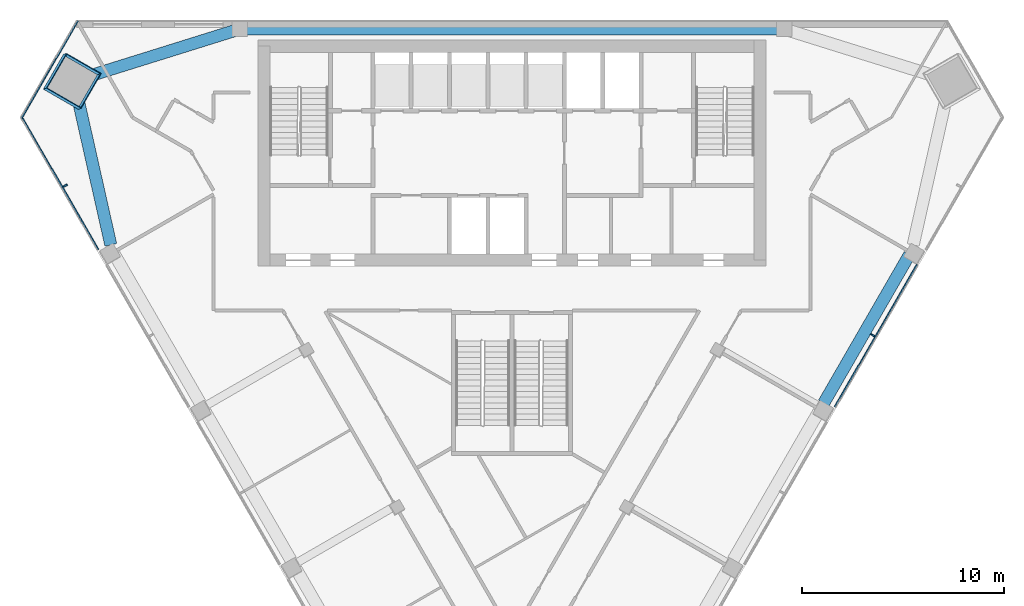
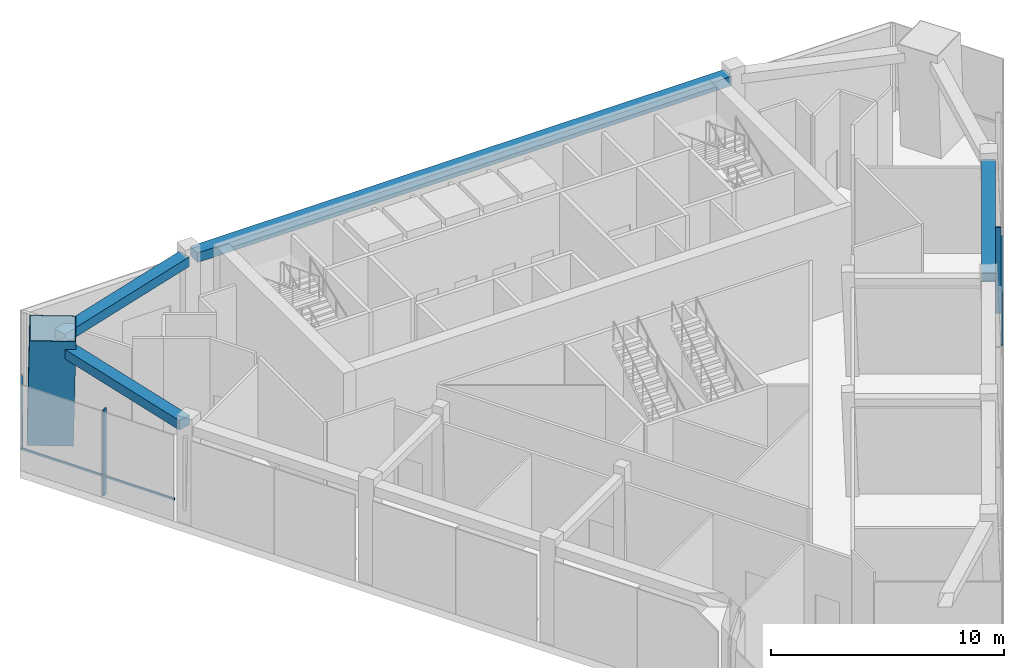
# One storey, part 3 of 10: 6 members, 4 beams, 3 elements without a shape of their own.
"""IFC4 building model written with IfcOpenShell, lengths in metres."""

from ifc_helpers import new_model, si_unit, direction, frame, origin, origin_2d, place, context, subcontext, project, spatial, rectangle, hollow_rectangle, extrude, material, layer, layer_set, material_profile, profile_set, type_object, element, aggregate, save


model = new_model("IFC4")

# Units and contexts
model_context = context("Model", 3, precision=1e-05, world=origin(), true_north=direction((0.0, 1.0)))
body_context = subcontext(model_context, "Body", "Model", "MODEL_VIEW")
ifc_project = project(units=[si_unit("LENGTHUNIT", "METRE"), si_unit("AREAUNIT", "SQUARE_METRE"), si_unit("VOLUMEUNIT", "CUBIC_METRE"), si_unit("PLANEANGLEUNIT", "RADIAN"), si_unit("MASSUNIT", "GRAM", prefix="KILO")], contexts=[model_context])

# Site, building, storey
site_placement = place(None, origin())
site = spatial("IfcSite", under=ifc_project, at=site_placement, CompositionType="ELEMENT")
building_placement = place(site_placement, origin())
building = spatial("IfcBuilding", under=site, at=building_placement, Name="Altiplano Prism Tower", CompositionType="ELEMENT")
storey_placement = place(building_placement, frame((0.0, 0.0, 233.800048828125)))
storey = spatial("IfcBuildingStorey", under=building, at=storey_placement, Name="L60", CompositionType="ELEMENT", Elevation=233.800048828125)

# Curtain wall, member
ifc_material_1 = material(Name="Aluminium and glass", Category="aluminium")
ifc_layer = layer(ifc_material_1, 0.360107421875)
ifc_layer_set = layer_set([ifc_layer], Name="Aluminium and glass")
curtain_wall_type = type_object("IfcCurtainWallType", Name="CW3 sky-lobby unitised glazing", PredefinedType="NOTDEFINED", material=ifc_layer_set)
curtain_wall_1_placement = place(storey_placement, origin())
curtain_wall_1 = element("IfcCurtainWall", 1, at=curtain_wall_1_placement, inside=storey, type_object=curtain_wall_type, Name="CW3 curtain wall south-west face L60", PredefinedType="NOTDEFINED")
ifc_material_2 = material(Name="Aluminium", Category="aluminium")
ifc_material_profile_1 = material_profile(ifc_material_2, rectangle(XDim=0.239990234375, YDim=0.080078125, at=origin_2d()), Name="CW3 mullion 80 x 240")
ifc_profile_set_1 = profile_set([ifc_material_profile_1], Name="Aluminium")
member_type_1 = type_object("IfcMemberType", Name="CW3 mullion 80 x 240", PredefinedType="MULLION", material=ifc_profile_set_1)
member_1_placement = place(storey_placement, frame((62.840087890625, 96.779541015625, 0.0), z_axis=(0.0, 0.0, 1.0), x_axis=(0.866025409483, 0.49999999013, 0.0)))
member_1 = element("IfcMember", 2, at=member_1_placement, type_object=member_type_1, Name="CW3 mullion", PredefinedType="MULLION", context=body_context, shape_type="SweptSolid", body=[
    extrude(rectangle(XDim=0.239990234375, YDim=0.080078125, at=origin_2d()), origin(), (0.0, 0.0, 1.0), 4.5),
])

curtain_wall_2_placement = place(storey_placement, origin())
curtain_wall_2 = element("IfcCurtainWall", 3, at=curtain_wall_2_placement, inside=storey, type_object=curtain_wall_type, Name="CW3 curtain wall south-east face L60", PredefinedType="NOTDEFINED")
member_2_placement = place(storey_placement, frame((102.8837890625, 89.373046875, 0.0), z_axis=(0.0, 0.0, 1.0), x_axis=(-0.866025409483, 0.49999999013, 0.0)))
member_2 = element("IfcMember", 4, at=member_2_placement, type_object=member_type_1, Name="CW3 mullion", PredefinedType="MULLION", context=body_context, shape_type="SweptSolid", body=[
    extrude(rectangle(XDim=0.239990234375, YDim=0.080078125, at=origin_2d()), origin(), (0.0, 0.0, 1.0), 4.5),
])

curtain_wall_3_placement = place(storey_placement, origin())
curtain_wall_3 = element("IfcCurtainWall", 5, at=curtain_wall_3_placement, inside=storey, type_object=curtain_wall_type, Name="CW3 curtain wall north-west chamfer L60", PredefinedType="NOTDEFINED")
ifc_material_profile_2 = material_profile(ifc_material_2, rectangle(XDim=0.070068359375, YDim=0.10009765625, at=origin_2d()), Name="CW3 transom 100 x 70")
ifc_profile_set_2 = profile_set([ifc_material_profile_2], Name="Aluminium")
member_type_2 = type_object("IfcMemberType", Name="CW3 transom 100 x 70", PredefinedType="USERDEFINED", material=ifc_profile_set_2)
member_3_placement = place(storey_placement, frame((63.468994140625, 104.95751953125, 1.099853515625), z_axis=(-0.500012895461, -0.866017958458, 0.0), x_axis=(0.866017958458, -0.500012895461, 0.0)))
member_3 = element("IfcMember", 6, at=member_3_placement, type_object=member_type_2, Name="CW3 transom", ObjectType="TRANSOM", PredefinedType="USERDEFINED", context=body_context, shape_type="SweptSolid", body=[
    extrude(rectangle(XDim=0.070068359375, YDim=0.10009765625, at=origin_2d()), origin(), (0.0, 0.0, 1.0), 5.578369140625),
])
aggregate(curtain_wall_3, [member_3])

# Member
member_4_placement = place(storey_placement, frame((60.6796875, 100.21142578125, 1.099853515625), z_axis=(0.500010333568, -0.866019437614, 0.0), x_axis=(0.866019437614, 0.500010333568, 0.0)))
member_4 = element("IfcMember", 7, at=member_4_placement, type_object=member_type_2, Name="CW3 transom", ObjectType="TRANSOM", PredefinedType="USERDEFINED", context=body_context, shape_type="SweptSolid", body=[
    extrude(rectangle(XDim=0.070068359375, YDim=0.10009765625, at=origin_2d()), origin(), (0.0, 0.0, 1.0), 7.610107421875),
])

aggregate(curtain_wall_1, [member_1, member_4])

member_5_placement = place(storey_placement, frame((101.01513671875, 85.82666015625, 1.099853515625), z_axis=(0.500008399602, 0.866020554218, 0.0), x_axis=(-0.866020554218, 0.500008399602, 0.0)))
member_5 = element("IfcMember", 8, at=member_5_placement, type_object=member_type_2, Name="CW3 transom", ObjectType="TRANSOM", PredefinedType="USERDEFINED", context=body_context, shape_type="SweptSolid", body=[
    extrude(rectangle(XDim=0.070068359375, YDim=0.10009765625, at=origin_2d()), origin(), (0.0, 0.0, 1.0), 8.129638671875),
])

aggregate(curtain_wall_2, [member_2, member_5])

# Beams
ifc_material_3 = material(Name="Concrete C60/75", Category="concrete")
ifc_material_profile_3 = material_profile(ifc_material_3, rectangle(XDim=0.60009765625, YDim=0.5, at=origin_2d()), Name="Edge beam 600x500")
ifc_profile_set_3 = profile_set([ifc_material_profile_3], Name="Concrete C60/75")
beam_type = type_object("IfcBeamType", Name="Edge beam 600x500", PredefinedType="SPANDREL", material=ifc_profile_set_3)
beam_1_placement = place(storey_placement, frame((98.2451171875, 104.550048828125, 4.75), z_axis=(-1.0, 0.0, 0.0), x_axis=(0.0, -1.0, 0.0)))
element("IfcBeam", 9, at=beam_1_placement, inside=storey, type_object=beam_type, Name="Edge beam P01-P04 L61", PredefinedType="SPANDREL", context=body_context, shape_type="SweptSolid", body=[
    extrude(rectangle(XDim=0.60009765625, YDim=0.5, at=origin_2d()), origin(), (0.0, 0.0, 1.0), 26.490234375),
])
beam_2_placement = place(storey_placement, frame((71.239501953125, 104.46875, 4.75), z_axis=(-0.954580702732, -0.297952482742, 0.0), x_axis=(0.297952482742, -0.954580702732, 0.0)))
element("IfcBeam", 10, at=beam_2_placement, inside=storey, type_object=beam_type, Name="Edge beam P04-M0 L61", PredefinedType="SPANDREL", context=body_context, shape_type="SweptSolid", body=[
    extrude(rectangle(XDim=0.60009765625, YDim=0.5, at=origin_2d()), origin(), (0.0, 0.0, 1.0), 7.888427734375),
])
beam_3_placement = place(storey_placement, frame((63.378662109375, 101.54541015625, 4.75), z_axis=(0.21927946686, -0.975662090795, 0.0), x_axis=(0.975662090795, 0.21927946686, 0.0)))
element("IfcBeam", 11, at=beam_3_placement, inside=storey, type_object=beam_type, Name="Edge beam M0-P11 L61", PredefinedType="SPANDREL", context=body_context, shape_type="SweptSolid", body=[
    extrude(rectangle(XDim=0.60009765625, YDim=0.5, at=origin_2d()), origin(), (0.0, 0.0, 1.0), 7.88818359375),
])
beam_4_placement = place(storey_placement, frame((100.45947265625, 86.009521484375, 4.75), z_axis=(0.49998963237, 0.866031389456, 0.0), x_axis=(-0.866031389456, 0.49998963237, 0.0)))
element("IfcBeam", 12, at=beam_4_placement, inside=storey, type_object=beam_type, Name="Edge beam P23-P24 L61", PredefinedType="SPANDREL", context=body_context, shape_type="SweptSolid", body=[
    extrude(rectangle(XDim=0.60009765625, YDim=0.5, at=origin_2d()), origin(), (0.0, 0.0, 1.0), 8.489990234375),
])

# Member
ifc_material_4 = material(Name="Steel S460", Category="steel")
ifc_material_profile_4 = material_profile(ifc_material_4, hollow_rectangle(XDim=2.0, YDim=2.0, WallThickness=0.0400390625, at=origin_2d()), Name="Mega column tube 2000")
ifc_profile_set_4 = profile_set([ifc_material_profile_4], Name="Steel S460")
member_type_3 = type_object("IfcMemberType", Name="Mega column tube 2000", PredefinedType="POST", material=ifc_profile_set_4)
member_6_placement = place(storey_placement, frame((63.12646484375, 101.934326171875, 0.0), z_axis=(0.028425663377, 0.009264325902, 0.999552977049), x_axis=(-0.86572778478, 0.500116005665, 0.019984582488)))
element("IfcMember", 13, at=member_6_placement, inside=storey, type_object=member_type_3, Name="Mega column tube M0 L60", PredefinedType="POST", context=body_context, shape_type="SweptSolid", body=[
    extrude(hollow_rectangle(XDim=2.0, YDim=2.0, WallThickness=0.0400390625, at=origin_2d()), origin(), (0.0, 0.0, 1.0), 5.40234375),
])

save(model, "model.ifc")
